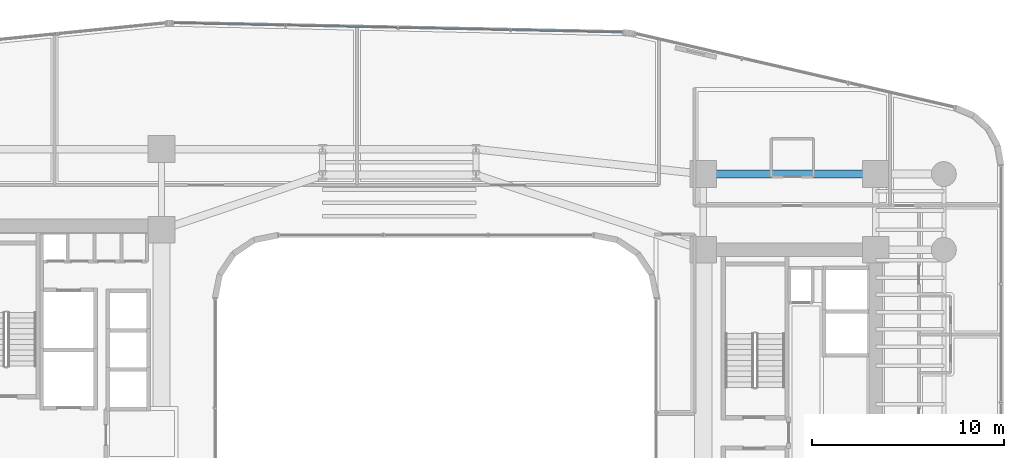
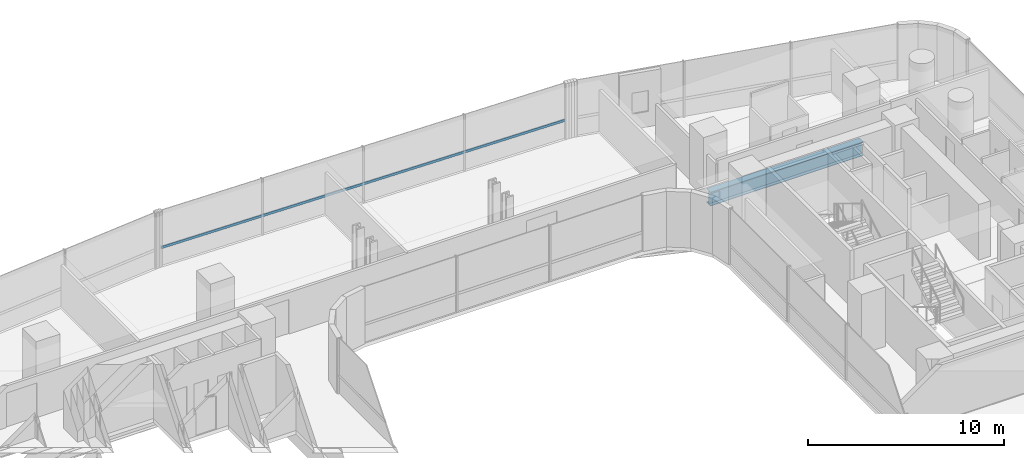
# One storey, part 23 of 41: 1 beam, 1 member, 1 element without a shape of its own.
"""IFC4 building model written with IfcOpenShell, lengths in metres."""

from ifc_helpers import new_model, si_unit, direction, frame, origin, origin_2d, place, context, subcontext, project, spatial, hollow_rectangle, i_section, extrude, source, transform, mapped, material, material_profile, profile_set, type_object, element, aggregate, save


model = new_model("IFC4")

# Units and contexts
model_context = context("Model", 3, precision=1e-05, world=origin(), true_north=direction((0.0, 1.0)))
body_context = subcontext(model_context, "Body", "Model", "MODEL_VIEW")
ifc_project = project(units=[si_unit("LENGTHUNIT", "METRE"), si_unit("AREAUNIT", "SQUARE_METRE"), si_unit("VOLUMEUNIT", "CUBIC_METRE"), si_unit("PLANEANGLEUNIT", "RADIAN"), si_unit("MASSUNIT", "GRAM", prefix="KILO")], contexts=[model_context])

# Site, building, storey
site_placement = place(None, origin())
site = spatial("IfcSite", under=ifc_project, at=site_placement, CompositionType="ELEMENT")
building_placement = place(site_placement, origin())
building = spatial("IfcBuilding", under=site, at=building_placement, Name="Valdorenza Pilgrim Sanctuary Tower", CompositionType="ELEMENT")
storey_placement = place(building_placement, frame((0.0, 0.0, 63.0)))
storey = spatial("IfcBuildingStorey", under=building, at=storey_placement, Name="L15", CompositionType="ELEMENT", Elevation=63.0)

# Beam
ifc_material_1 = material(Name="Steel ASTM A992 Grade 50", Category="steel")
ifc_material_profile_1 = material_profile(ifc_material_1, i_section(OverallWidth=0.39990234375, OverallDepth=0.862060546875, WebThickness=0.019775390625, FlangeThickness=0.032470703125, at=origin_2d()), Name="W33X221")
ifc_profile_set_1 = profile_set([ifc_material_profile_1], Name="Steel ASTM A992 Grade 50")
beam_type = type_object("IfcBeamType", Name="STR-BM-GRD-W33", PredefinedType="BEAM", material=ifc_profile_set_1)
shared_shape_1 = source(origin(), body_context, "Body", "SweptSolid", [
    extrude(i_section(OverallWidth=0.39990234375, OverallDepth=0.862060546875, WebThickness=0.019775390625, FlangeThickness=0.032470703125, at=origin_2d()), origin(), (0.0, 0.0, 1.0), 9.0),
])
beam_placement = place(storey_placement, frame((15.85009765625, 13.5, -0.6708984375), z_axis=(1.0, 0.0, 0.0), x_axis=(0.0, 1.0, 0.0)))
element("IfcBeam", 1, at=beam_placement, inside=storey, type_object=beam_type, Name="L15 Floor Girder CB-XC-N2", PredefinedType="BEAM", context=body_context, shape_type="MappedRepresentation", body=[
    mapped(shared_shape_1, transform((0.0, 0.0, 0.0), x_axis=(1.0, 0.0, 0.0), y_axis=(0.0, 1.0, 0.0), z_axis=(0.0, 0.0, 1.0), scale=1.0)),
])

# Curtain wall, member
ifc_material_2 = material(Name="Curtain-wall IGU glazing", Category="glass")
curtain_wall_type = type_object("IfcCurtainWallType", Name="CW-SYS-02", PredefinedType="NOTDEFINED", material=ifc_material_2)
curtain_wall_placement = place(storey_placement, origin())
curtain_wall = element("IfcCurtainWall", 2, at=curtain_wall_placement, inside=storey, type_object=curtain_wall_type, Name="L15 Curtain Wall CW-L15-1-11", PredefinedType="NOTDEFINED")
ifc_material_3 = material(Name="Anodised aluminium AW-6060", Category="aluminium")
ifc_material_profile_2 = material_profile(ifc_material_3, hollow_rectangle(XDim=0.074951171875, YDim=0.14990234375, WallThickness=0.00390625, at=origin_2d()), Name="ALU-T 150x75x4")
ifc_profile_set_2 = profile_set([ifc_material_profile_2], Name="Anodised aluminium AW-6060")
member_type = type_object("IfcMemberType", Name="CW-TRN-02", PredefinedType="USERDEFINED", material=ifc_profile_set_2)
shared_shape_2 = source(origin(), body_context, "Body", "SweptSolid", [
    extrude(hollow_rectangle(XDim=0.074951171875, YDim=0.14990234375, WallThickness=0.00390625, at=origin_2d()), origin(), (0.0, 0.0, 1.0), 23.479248046875),
])
member_placement = place(storey_placement, frame((-11.808349609375, 21.385986328125, 1.1201171875), z_axis=(0.999783083794, -0.020827514476, 0.0), x_axis=(0.020827514476, 0.999783083794, 0.0)))
member = element("IfcMember", 3, at=member_placement, type_object=member_type, Name="CW-L15-1-11 Transom 1", ObjectType="TRANSOM", PredefinedType="USERDEFINED", context=body_context, shape_type="MappedRepresentation", body=[
    mapped(shared_shape_2, transform((0.0, 0.0, 0.0), x_axis=(1.0, 0.0, 0.0), y_axis=(0.0, 1.0, 0.0), z_axis=(0.0, 0.0, 1.0), scale=1.0)),
])
aggregate(curtain_wall, [member])

save(model, "model.ifc")
